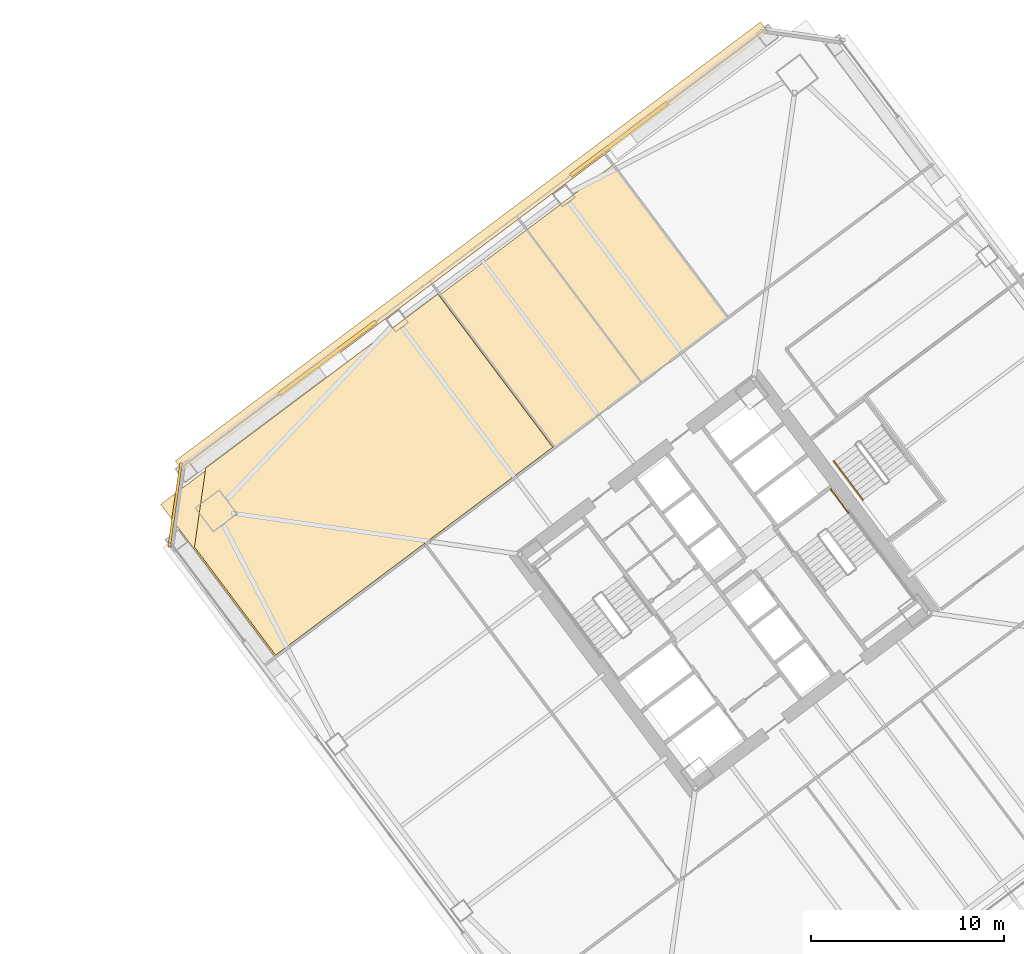
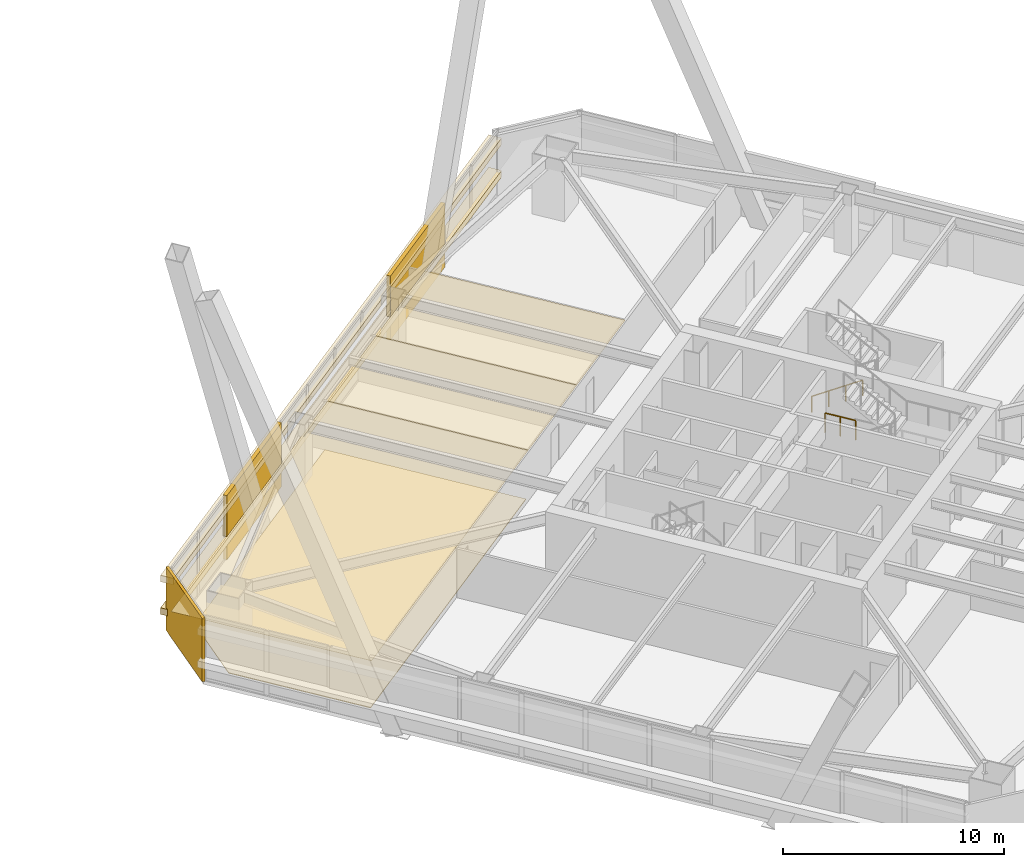
# One storey, part 73 of 75: 9 coverings, 2 railings.
"""IFC4 building model written with IfcOpenShell, lengths in metres."""

from ifc_helpers import new_model, si_unit, direction, frame, origin, origin_2d, place, context, subcontext, project, spatial, polyline, rectangle, outline, extrude, material, layer, layer_set, type_object, element, save


model = new_model("IFC4")

# Units and contexts
model_context = context("Model", 3, precision=1e-05, world=origin(), true_north=direction((0.0, 1.0)))
body_context = subcontext(model_context, "Body", "Model", "MODEL_VIEW")
ifc_project = project(units=[si_unit("LENGTHUNIT", "METRE"), si_unit("AREAUNIT", "SQUARE_METRE"), si_unit("VOLUMEUNIT", "CUBIC_METRE"), si_unit("PLANEANGLEUNIT", "RADIAN"), si_unit("MASSUNIT", "GRAM", prefix="KILO")], contexts=[model_context])

# Site, building, storey
site_placement = place(None, origin())
site = spatial("IfcSite", under=ifc_project, at=site_placement, CompositionType="ELEMENT")
building_placement = place(site_placement, origin())
building = spatial("IfcBuilding", under=site, at=building_placement, Name="Tashvorn Skyway Center", CompositionType="ELEMENT")
storey_placement = place(building_placement, frame((0.0, 0.0, 45.89990234375)))
storey = spatial("IfcBuildingStorey", under=building, at=storey_placement, Name="L11", CompositionType="ELEMENT", Elevation=45.89990234375)

# Coverings
ifc_material_1 = material(Name="Precast concrete C40/50", Category="concrete")
ifc_layer_1 = layer(ifc_material_1, 0.199951171875)
ifc_layer_set_1 = layer_set([ifc_layer_1], Name="Precast concrete C40/50")
covering_type_1 = type_object("IfcCoveringType", Name="COV-BRACE-CLAD", PredefinedType="CLADDING", material=ifc_layer_set_1)
for number, where, z_axis, x_axis, name in (
    (1, (93.43994140625, 43.679931640625, 0.0), (0.0, 0.0, 1.0), (0.799999996291, 0.600000004945, 0.0), "Tower 2 L11 North Unitised Curtain Wall Mega-Brace Cladding Band 1"),
    (2, (108.5439453125, 55.008056640625, 0.0), (0.0, 0.0, 1.0), (0.799999996291, 0.600000004945, 0.0), "Tower 2 L11 North Unitised Curtain Wall Mega-Brace Cladding Band 2"),
):
    element("IfcCovering", number, at=place(storey_placement, frame(where, z_axis=z_axis, x_axis=x_axis)), inside=storey, type_object=covering_type_1, Name=name, PredefinedType="CLADDING", context=body_context, shape_type="SweptSolid", body=[
        extrude(rectangle(XDim=6.293212890625, YDim=0.199951171875, at=origin_2d()), origin(), (0.0, 0.0, 1.0), 3.550048828125),
    ])
ifc_material_2 = material(Name="Mineral-fibre acoustic ceiling tile on suspended grid")
ifc_layer_2 = layer(ifc_material_2, 0.02001953125)
ifc_layer_set_2 = layer_set([ifc_layer_2], Name="Mineral-fibre acoustic ceiling tile on suspended grid")
covering_type_2 = type_object("IfcCoveringType", Name="COV-CEIL-20", PredefinedType="CEILING", material=ifc_layer_set_2)
covering_1_placement = place(storey_placement, frame((0.0, 0.0, 2.68310546875)))
element("IfcCovering", 3, at=covering_1_placement, inside=storey, type_object=covering_type_2, Name="Tower 2 L11 Research Library Acoustic Ceiling", PredefinedType="CEILING", context=body_context, shape_type="SweptSolid", body=[
    extrude(outline(polyline([(90.739990234375, 28.179931640625), (105.219970703125, 39.0400390625), (99.280029296875, 46.9599609375), (84.800048828125, 36.10009765625), (90.739990234375, 28.179931640625)])), origin(), (0.0, 0.0, 1.0), 0.02001953125),
])
covering_2_placement = place(storey_placement, frame((0.0, 0.0, 2.68310546875)))
element("IfcCovering", 4, at=covering_2_placement, inside=storey, type_object=covering_type_2, Name="Tower 2 L11 Research Library Acoustic Ceiling", PredefinedType="CEILING", context=body_context, shape_type="SweptSolid", body=[
    extrude(outline(polyline([(105.219970703125, 39.0400390625), (109.699951171875, 42.39990234375), (103.760009765625, 50.320068359375), (99.280029296875, 46.9599609375), (105.219970703125, 39.0400390625)])), origin(), (0.0, 0.0, 1.0), 0.02001953125),
])
covering_3_placement = place(storey_placement, frame((0.0, 0.0, 2.68310546875)))
element("IfcCovering", 5, at=covering_3_placement, inside=storey, type_object=covering_type_2, Name="Tower 2 L11 Reading Lounge Acoustic Ceiling", PredefinedType="CEILING", context=body_context, shape_type="SweptSolid", body=[
    extrude(outline(polyline([(109.699951171875, 42.39990234375), (114.179931640625, 45.760009765625), (108.239990234375, 53.679931640625), (103.760009765625, 50.320068359375), (109.699951171875, 42.39990234375)])), origin(), (0.0, 0.0, 1.0), 0.02001953125),
])
ifc_material_3 = material(Name="Polished Mojave desert-aggregate terrazzo and cover plate")
ifc_layer_3 = layer(ifc_material_3, 0.0400390625)
ifc_layer_set_3 = layer_set([ifc_layer_3], Name="Polished Mojave desert-aggregate terrazzo and cover plate")
covering_type_3 = type_object("IfcCoveringType", Name="COV-FLR-40", PredefinedType="FLOORING", material=ifc_layer_set_3)
covering_4_placement = place(storey_placement, origin())
element("IfcCovering", 6, at=covering_4_placement, inside=storey, type_object=covering_type_3, Name="Tower 2 L11 Research Library Finish Flooring", PredefinedType="FLOORING", context=body_context, shape_type="SweptSolid", body=[
    extrude(outline(polyline([(105.10791015625, 39.055908203125), (90.756103515625, 28.2919921875), (86.555908203125, 33.89208984375), (87.139892578125, 37.97998046875), (99.156005859375, 46.991943359375), (105.10791015625, 39.055908203125)])), origin(), (0.0, 0.0, 1.0), 0.0400390625),
])
ifc_material_4 = material(Name="Perforated ceramic-coated bronze aluminium solar screen", Category="aluminium")
ifc_layer_4 = layer(ifc_material_4, 0.85009765625)
ifc_layer_set_4 = layer_set([ifc_layer_4], Name="Perforated ceramic-coated bronze aluminium solar screen")
covering_type_4 = type_object("IfcCoveringType", Name="COV-SOLAR-BAND", PredefinedType="CLADDING", material=ifc_layer_set_4)
for number, where, z_axis, x_axis, name in (
    (7, (100.907958984375, 49.4560546875, 0.919921875), (0.0, 0.0, 1.0), (0.799999996291, 0.600000004945, 0.0), "L11 Perforated Ceramic-Metal Solar Screen Louvre Band North 1"),
    (8, (100.907958984375, 49.4560546875, 2.72021484375), (0.0, 0.0, 1.0), (0.799999996291, 0.600000004945, 0.0), "L11 Perforated Ceramic-Metal Solar Screen Louvre Band North 2"),
):
    element("IfcCovering", number, at=place(storey_placement, frame(where, z_axis=z_axis, x_axis=x_axis)), inside=storey, type_object=covering_type_4, Name=name, PredefinedType="CLADDING", context=body_context, shape_type="SweptSolid", body=[
        extrude(rectangle(XDim=37.8798828125, YDim=0.639892578125, at=origin_2d()), origin(), (0.0, 0.0, 1.0), 0.360107421875),
    ])
ifc_layer_5 = layer(ifc_material_1, 0.35009765625)
ifc_layer_set_5 = layer_set([ifc_layer_5], Name="Precast concrete C40/50")
covering_type_5 = type_object("IfcCoveringType", Name="COV-STONE-TRIM", PredefinedType="CLADDING", material=ifc_layer_set_5)
covering_5_placement = place(storey_placement, frame((85.552001953125, 36.06396484375, 0.02001953125), z_axis=(0.0, 0.0, 1.0), x_axis=(-0.141421350118, -0.989949494535, 0.0)))
element("IfcCovering", 9, at=covering_5_placement, inside=storey, type_object=covering_type_5, Name="Tower 2 L11 NW Mojave Limestone Corner Quoin", PredefinedType="CLADDING", context=body_context, shape_type="SweptSolid", body=[
    extrude(rectangle(XDim=4.402587890625, YDim=0.139892578125, at=origin_2d()), origin(), (0.0, 0.0, 1.0), 3.510009765625),
])

# Railings
ifc_material_5 = material(Name="Brushed stainless steel 316", Category="steel")
railing_type_1 = type_object("IfcRailingType", Name="RAIL-HAND-920", PredefinedType="HANDRAIL", material=ifc_material_5)
railing_1_placement = place(storey_placement, frame((119.656005859375, 38.342041015625, 0.177490234375)))
element("IfcRailing", 10, at=railing_1_placement, inside=storey, type_object=railing_type_1, Name="L11 ST-T2-3 stair handrail 1", PredefinedType="HANDRAIL", context=body_context, shape_type="SweptSolid", body=[
    extrude(rectangle(XDim=0.048095703125, YDim=0.048095703125, at=origin_2d()), frame((0.0, 0.0, 0.8759765625), z_axis=(0.506718600913, -0.675679348675, 0.535437836974), x_axis=(0.800023250257, 0.599968998406, 0.0)), (0.0, 0.0, 1.0), 2.98388671875),
    extrude(rectangle(XDim=0.0419921875, YDim=0.0419921875, at=origin_2d()), origin(), (0.0, 0.0, 1.0), 0.851806640625),
    extrude(rectangle(XDim=0.0419921875, YDim=0.0419921875, at=origin_2d()), frame((0.50390625, -0.672119140625, 0.532470703125)), (0.0, 0.0, 1.0), 0.851806640625),
    extrude(rectangle(XDim=0.0419921875, YDim=0.0419921875, at=origin_2d()), frame((1.008056640625, -1.343994140625, 1.065185546875)), (0.0, 0.0, 1.0), 0.851806640625),
    extrude(rectangle(XDim=0.0419921875, YDim=0.0419921875, at=origin_2d()), frame((1.511962890625, -2.01611328125, 1.59765625)), (0.0, 0.0, 1.0), 0.851806640625),
])
ifc_material_6 = material(Name="Painted galvanized steel S355", Category="steel")
railing_type_2 = type_object("IfcRailingType", Name="RAIL-STGUARD-1100", PredefinedType="GUARDRAIL", material=ifc_material_6)
railing_2_placement = place(storey_placement, frame((119.50390625, 36.8779296875, 0.0)))
element("IfcRailing", 11, at=railing_2_placement, inside=storey, type_object=railing_type_2, Name="L11 ST-T2-2 stair guard 6", PredefinedType="GUARDRAIL", context=body_context, shape_type="SweptSolid", body=[
    extrude(rectangle(XDim=0.048095703125, YDim=0.048095703125, at=origin_2d()), frame((0.0, 0.0, 1.076171875), z_axis=(0.600102796382, -0.799922892393, 0.0), x_axis=(0.799922892393, 0.600102796382, 0.0)), (0.0, 0.0, 1.0), 1.52001953125),
    extrude(rectangle(XDim=0.0419921875, YDim=0.0419921875, at=origin_2d()), origin(), (0.0, 0.0, 1.0), 1.052001953125),
    extrude(rectangle(XDim=0.0419921875, YDim=0.0419921875, at=origin_2d()), frame((0.4560546875, -0.60791015625, 0.0)), (0.0, 0.0, 1.0), 1.052001953125),
    extrude(rectangle(XDim=0.0419921875, YDim=0.0419921875, at=origin_2d()), frame((0.912109375, -1.2158203125, 0.0)), (0.0, 0.0, 1.0), 1.052001953125),
])

save(model, "model.ifc")
